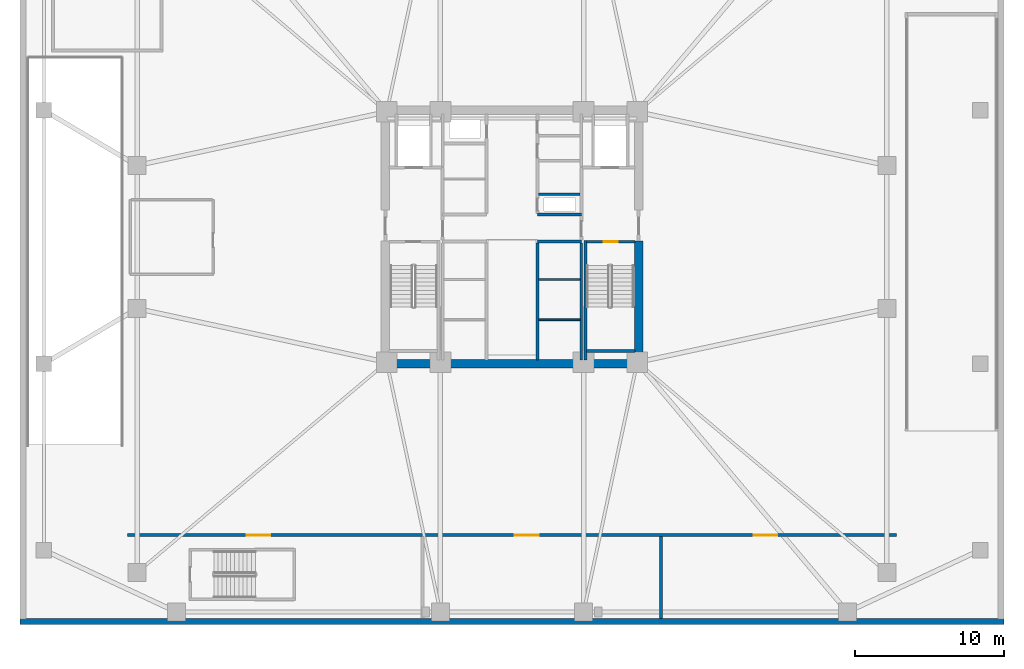
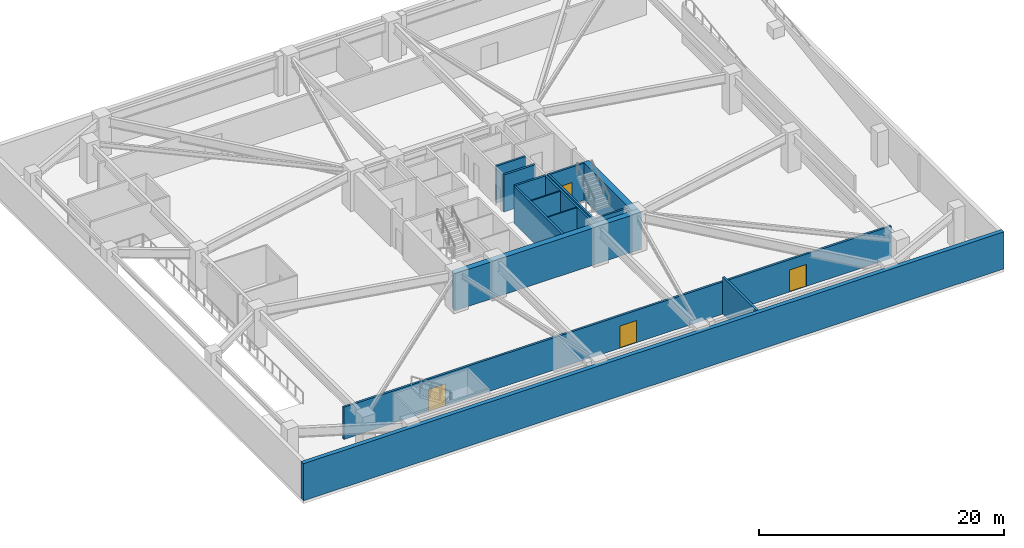
# One storey, part 3 of 9: 15 walls, 4 doors, 4 openings.
"""IFC4 building model written with IfcOpenShell, lengths in metres."""

from ifc_helpers import new_model, si_unit, direction, frame, frame_2d, origin, place, context, subcontext, project, spatial, rectangle, extrude, material, layer, layer_set, type_object, element, fill, save


model = new_model("IFC4")

# Units and contexts
model_context = context("Model", 3, precision=1e-05, world=origin(), true_north=direction((0.0, 1.0)))
body_context = subcontext(model_context, "Body", "Model", "MODEL_VIEW")
ifc_project = project(units=[si_unit("LENGTHUNIT", "METRE"), si_unit("AREAUNIT", "SQUARE_METRE"), si_unit("VOLUMEUNIT", "CUBIC_METRE"), si_unit("PLANEANGLEUNIT", "RADIAN"), si_unit("MASSUNIT", "GRAM", prefix="KILO")], contexts=[model_context])

# Site, building, storey
site_placement = place(None, origin())
site = spatial("IfcSite", under=ifc_project, at=site_placement, CompositionType="ELEMENT")
building_placement = place(site_placement, origin())
building = spatial("IfcBuilding", under=site, at=building_placement, Name="Cairnveth Concourse Tower", CompositionType="ELEMENT")
storey_placement = place(building_placement, frame((0.0, 0.0, -4.0)))
storey = spatial("IfcBuildingStorey", under=building, at=storey_placement, Name="B01", CompositionType="ELEMENT", Elevation=-4.0)

# Walls
ifc_material_1 = material(Name="Concrete N50 (50 MPa)", Category="concrete")
ifc_layer_1 = layer(ifc_material_1, 0.39990234375)
ifc_layer_set_1 = layer_set([ifc_layer_1], Name="Concrete N50 (50 MPa)")
wall_type_1 = type_object("IfcWallType", Name="BASEMENT RETAINING WALL 400", PredefinedType="USERDEFINED", material=ifc_layer_set_1)
wall_1_placement = place(storey_placement, frame((85.0, 13.199951171875, 0.0), z_axis=(0.0, 0.0, 1.0), x_axis=(-1.0, 0.0, 0.0)))
element("IfcWall", 1, at=wall_1_placement, inside=storey, type_object=wall_type_1, Name="Exterior Wall EW-B01-S", ObjectType="RETAINING WALL", PredefinedType="USERDEFINED", context=body_context, shape_type="SweptSolid", body=[
    extrude(rectangle(XDim=66.0, YDim=0.39990234375, at=frame_2d((33.0, 0.0))), origin(), (0.0, 0.0, 1.0), 3.699951171875),
])
ifc_material_2 = material(Name="Concrete N80 (80 MPa)", Category="concrete")
ifc_layer_2 = layer(ifc_material_2, 0.550048828125)
ifc_layer_set_2 = layer_set([ifc_layer_2], Name="Concrete N80 (80 MPa)")
wall_type_2 = type_object("IfcWallType", Name="CORE SHEAR WALL 550", PredefinedType="SHEAR", material=ifc_layer_set_2)
wall_2_placement = place(storey_placement, frame((43.22509765625, 30.5, 0.0), z_axis=(0.0, 0.0, 1.0), x_axis=(1.0, 0.0, 0.0)))
element("IfcWall", 2, at=wall_2_placement, inside=storey, type_object=wall_type_2, Name="Core South Shear Wall B01", PredefinedType="SHEAR", context=body_context, shape_type="SweptSolid", body=[
    extrude(rectangle(XDim=17.5498046875, YDim=0.550048828125, at=frame_2d((8.77490234375, 0.0))), origin(), (0.0, 0.0, 1.0), 3.699951171875),
])
wall_3_placement = place(storey_placement, frame((60.5, 30.764892578125, 0.0), z_axis=(0.0, 0.0, 1.0), x_axis=(0.0, 1.0, 0.0)))
element("IfcWall", 3, at=wall_3_placement, inside=storey, type_object=wall_type_2, Name="Core East Shear Wall S B01", PredefinedType="SHEAR", context=body_context, shape_type="SweptSolid", body=[
    extrude(rectangle(XDim=7.985107421875, YDim=0.550048828125, at=frame_2d((3.99267578125, 0.0))), origin(), (0.0, 0.0, 1.0), 3.699951171875),
])
ifc_layer_3 = layer(ifc_material_1, 0.179931640625)
ifc_layer_set_3 = layer_set([ifc_layer_3], Name="Concrete N50 (50 MPa)")
wall_type_3 = type_object("IfcWallType", Name="FIRE SHAFT WALL 180", PredefinedType="SOLIDWALL", material=ifc_layer_set_3)
wall_4_placement = place(storey_placement, frame((56.64990234375, 30.760009765625, 0.0), z_axis=(0.0, 0.0, 1.0), x_axis=(0.0, 1.0, 0.0)))
element("IfcWall", 4, at=wall_4_placement, inside=storey, type_object=wall_type_3, Name="Interior Wall IW-B01-028", PredefinedType="SOLIDWALL", context=body_context, shape_type="SweptSolid", body=[
    extrude(rectangle(XDim=7.85498046875, YDim=0.179931640625, at=frame_2d((3.927490234375, 0.0))), origin(), (0.0, 0.0, 1.0), 3.699951171875),
])
wall_5_placement = place(storey_placement, frame((53.784912109375, 41.8798828125, 0.0), z_axis=(0.0, 0.0, 1.0), x_axis=(1.0, 0.0, 0.0)))
element("IfcWall", 5, at=wall_5_placement, inside=storey, type_object=wall_type_3, Name="Interior Wall IW-B01-035", PredefinedType="SOLIDWALL", context=body_context, shape_type="SweptSolid", body=[
    extrude(rectangle(XDim=2.780029296875, YDim=0.179931640625, at=frame_2d((1.39013671875, 0.0))), origin(), (0.0, 0.0, 1.0), 3.699951171875),
])

# Wall, opening, door
wall_6_placement = place(storey_placement, frame((57.0048828125, 38.68994140625, 0.0), z_axis=(0.0, 0.0, 1.0), x_axis=(1.0, 0.0, 0.0)))
wall_6 = element("IfcWall", 6, at=wall_6_placement, inside=storey, type_object=wall_type_3, Name="Stair ST-2 Shaft Wall NEAR B01", PredefinedType="SOLIDWALL", context=body_context, shape_type="SweptSolid", body=[
    extrude(rectangle(XDim=3.230224609375, YDim=0.179931640625, at=frame_2d((1.615234375, 0.0))), origin(), (0.0, 0.0, 1.0), 3.699951171875),
])
opening_1_placement = place(wall_6_placement, frame((1.139892578125, 0.0, 0.0)))
opening_1 = element("IfcOpeningElement", 7, at=opening_1_placement, cuts=wall_6, Name="Opening ID12", PredefinedType="OPENING", context=body_context, shape_type="SweptSolid", body=[
    extrude(rectangle(XDim=0.949951171875, YDim=2.14990234375, at=frame_2d((0.47509765625, 1.074951171875))), frame((0.0, 0.099853515625, 0.0), z_axis=(0.0, -1.0, 0.0), x_axis=(1.0, 0.0, 0.0)), (0.0, 0.0, 1.0), 0.199951171875),
])
ifc_material_3 = material(Name="Steel Grade 350", Category="steel")
door_type_1 = type_object("IfcDoorType", Name="FIRE STAIR DOOR 950X2150", OperationType="NOTDEFINED", PredefinedType="DOOR", material=ifc_material_3)
door_1_placement = place(opening_1_placement, origin())
door_1 = element("IfcDoor", 8, at=door_1_placement, inside=storey, type_object=door_type_1, Name="Stair ST-2 Fire Door B01", OperationType="SINGLE_SWING_RIGHT", OverallHeight=2.14990234375, OverallWidth=0.949951171875, PredefinedType="DOOR", context=body_context, shape_type="SweptSolid", body=[
    extrude(rectangle(XDim=0.949951171875, YDim=2.14990234375, at=frame_2d((0.47509765625, 1.074951171875))), frame((0.0, 0.02490234375, 0.0), z_axis=(0.0, -1.0, 0.0), x_axis=(1.0, 0.0, 0.0)), (0.0, 0.0, 1.0), 0.050048828125),
])
fill(opening_1, door_1)

# Walls
wall_7_placement = place(storey_placement, frame((57.0048828125, 31.360107421875, 0.0), z_axis=(0.0, 0.0, 1.0), x_axis=(1.0, 0.0, 0.0)))
element("IfcWall", 9, at=wall_7_placement, inside=storey, type_object=wall_type_3, Name="Stair ST-2 Shaft Wall FAR B01", PredefinedType="SOLIDWALL", context=body_context, shape_type="SweptSolid", body=[
    extrude(rectangle(XDim=3.230224609375, YDim=0.179931640625, at=frame_2d((1.615234375, 0.0))), origin(), (0.0, 0.0, 1.0), 3.699951171875),
])
wall_8_placement = place(storey_placement, frame((56.929931640625, 38.780029296875, 0.0), z_axis=(0.0, 0.0, 1.0), x_axis=(0.0, -1.0, 0.0)))
element("IfcWall", 10, at=wall_8_placement, inside=storey, type_object=wall_type_3, Name="Stair ST-2 Shaft Wall LEFT B01", PredefinedType="SOLIDWALL", context=body_context, shape_type="SweptSolid", body=[
    extrude(rectangle(XDim=8.01708984375, YDim=0.179931640625, at=frame_2d((4.008544921875, 0.0))), origin(), (0.0, 0.0, 1.0), 3.699951171875),
])
ifc_layer_4 = layer(ifc_material_1, 0.199951171875)
ifc_layer_set_4 = layer_set([ifc_layer_4], Name="Concrete N50 (50 MPa)")
wall_type_4 = type_object("IfcWallType", Name="FIRE SHAFT WALL 200", PredefinedType="SOLIDWALL", material=ifc_layer_set_4)
for number, where, z_axis, x_axis, name in (
    (11, (53.699951171875, 38.699951171875, 0.0), (0.0, 0.0, 1.0), (1.0, 0.0, 0.0), "Interior Wall IW-B01-009"),
    (12, (53.699951171875, 40.5, 0.0), (0.0, 0.0, 1.0), (1.0, 0.0, 0.0), "Interior Wall IW-B01-010"),
):
    element("IfcWall", number, at=place(storey_placement, frame(where, z_axis=z_axis, x_axis=x_axis)), inside=storey, type_object=wall_type_4, Name=name, PredefinedType="SOLIDWALL", context=body_context, shape_type="SweptSolid", body=[
        extrude(rectangle(XDim=2.949951171875, YDim=0.199951171875, at=frame_2d((1.47509765625, 0.0))), origin(), (0.0, 0.0, 1.0), 3.699951171875),
    ])
wall_9_placement = place(storey_placement, frame((53.699951171875, 30.760009765625, 0.0), z_axis=(0.0, 0.0, 1.0), x_axis=(0.0, 1.0, 0.0)))
element("IfcWall", 13, at=wall_9_placement, inside=storey, type_object=wall_type_4, Name="Interior Wall IW-B01-012", PredefinedType="SOLIDWALL", context=body_context, shape_type="SweptSolid", body=[
    extrude(rectangle(XDim=7.85498046875, YDim=0.199951171875, at=frame_2d((3.927490234375, 0.0))), origin(), (0.0, 0.0, 1.0), 3.699951171875),
])

# Wall, openings, doors
wall_10_placement = place(storey_placement, frame((26.199951171875, 19.0, 0.0), z_axis=(0.0, 0.0, 1.0), x_axis=(1.0, 0.0, 0.0)))
wall_10 = element("IfcWall", 14, at=wall_10_placement, inside=storey, type_object=wall_type_4, Name="Interior Wall IW-B01-038", PredefinedType="SOLIDWALL", context=body_context, shape_type="SweptSolid", body=[
    extrude(rectangle(XDim=51.60009765625, YDim=0.199951171875, at=frame_2d((25.800048828125, 0.0))), origin(), (0.0, 0.0, 1.0), 3.218017578125),
])
opening_2_placement = place(wall_10_placement, frame((8.0, 0.0, 0.0)))
opening_2 = element("IfcOpeningElement", 15, at=opening_2_placement, cuts=wall_10, Name="Opening ID02", PredefinedType="OPENING", context=body_context, shape_type="SweptSolid", body=[
    extrude(rectangle(XDim=1.60009765625, YDim=2.199951171875, at=frame_2d((0.800048828125, 1.10009765625))), frame((0.0, 0.10986328125, 0.0), z_axis=(0.0, -1.0, 0.0), x_axis=(1.0, 0.0, 0.0)), (0.0, 0.0, 1.0), 0.219970703125),
])
opening_3_placement = place(wall_10_placement, frame((26.0, 0.0, 0.0)))
opening_3 = element("IfcOpeningElement", 16, at=opening_3_placement, cuts=wall_10, Name="Opening ID02", PredefinedType="OPENING", context=body_context, shape_type="SweptSolid", body=[
    extrude(rectangle(XDim=1.60009765625, YDim=2.199951171875, at=frame_2d((0.800048828125, 1.10009765625))), frame((0.0, 0.10986328125, 0.0), z_axis=(0.0, -1.0, 0.0), x_axis=(1.0, 0.0, 0.0)), (0.0, 0.0, 1.0), 0.219970703125),
])
opening_4_placement = place(wall_10_placement, frame((42.0, 0.0, 0.0)))
opening_4 = element("IfcOpeningElement", 17, at=opening_4_placement, cuts=wall_10, Name="Opening ID02", PredefinedType="OPENING", context=body_context, shape_type="SweptSolid", body=[
    extrude(rectangle(XDim=1.60009765625, YDim=2.199951171875, at=frame_2d((0.800048828125, 1.10009765625))), frame((0.0, 0.10986328125, 0.0), z_axis=(0.0, -1.0, 0.0), x_axis=(1.0, 0.0, 0.0)), (0.0, 0.0, 1.0), 0.219970703125),
])
door_type_2 = type_object("IfcDoorType", Name="PLANT DOUBLE DOOR 1600X2200", OperationType="DOUBLE_DOOR_SINGLE_SWING", PredefinedType="DOOR", material=ifc_material_3)
door_2_placement = place(opening_2_placement, origin())
door_2 = element("IfcDoor", 18, at=door_2_placement, inside=storey, type_object=door_type_2, Name="Interior Door DR-B01-011", OperationType="DOUBLE_DOOR_SINGLE_SWING", OverallHeight=2.199951171875, OverallWidth=1.60009765625, PredefinedType="DOOR", context=body_context, shape_type="SweptSolid", body=[
    extrude(rectangle(XDim=1.60009765625, YDim=2.199951171875, at=frame_2d((0.800048828125, 1.10009765625))), frame((0.0, 0.02490234375, 0.0), z_axis=(0.0, -1.0, 0.0), x_axis=(1.0, 0.0, 0.0)), (0.0, 0.0, 1.0), 0.050048828125),
])
fill(opening_2, door_2)
door_3_placement = place(opening_3_placement, origin())
door_3 = element("IfcDoor", 19, at=door_3_placement, inside=storey, type_object=door_type_2, Name="Interior Door DR-B01-012", OperationType="DOUBLE_DOOR_SINGLE_SWING", OverallHeight=2.199951171875, OverallWidth=1.60009765625, PredefinedType="DOOR", context=body_context, shape_type="SweptSolid", body=[
    extrude(rectangle(XDim=1.60009765625, YDim=2.199951171875, at=frame_2d((0.800048828125, 1.10009765625))), frame((0.0, 0.02490234375, 0.0), z_axis=(0.0, -1.0, 0.0), x_axis=(1.0, 0.0, 0.0)), (0.0, 0.0, 1.0), 0.050048828125),
])
fill(opening_3, door_3)
door_4_placement = place(opening_4_placement, origin())
door_4 = element("IfcDoor", 20, at=door_4_placement, inside=storey, type_object=door_type_2, Name="Interior Door DR-B01-013", OperationType="DOUBLE_DOOR_SINGLE_SWING", OverallHeight=2.199951171875, OverallWidth=1.60009765625, PredefinedType="DOOR", context=body_context, shape_type="SweptSolid", body=[
    extrude(rectangle(XDim=1.60009765625, YDim=2.199951171875, at=frame_2d((0.800048828125, 1.10009765625))), frame((0.0, 0.02490234375, 0.0), z_axis=(0.0, -1.0, 0.0), x_axis=(1.0, 0.0, 0.0)), (0.0, 0.0, 1.0), 0.050048828125),
])
fill(opening_4, door_4)

# Walls
wall_11_placement = place(storey_placement, frame((62.0, 13.39990234375, 0.0), z_axis=(0.0, 0.0, 1.0), x_axis=(0.0, 1.0, 0.0)))
element("IfcWall", 21, at=wall_11_placement, inside=storey, type_object=wall_type_4, Name="Interior Wall IW-B01-041", PredefinedType="SOLIDWALL", context=body_context, shape_type="SweptSolid", body=[
    extrude(rectangle(XDim=5.51513671875, YDim=0.199951171875, at=frame_2d((2.757568359375, 0.0))), origin(), (0.0, 0.0, 1.0), 3.699951171875),
])
ifc_material_4 = material(Name="Gypsum Plasterboard Partition", Category="gypsum")
ifc_layer_5 = layer(ifc_material_4, 0.110107421875)
ifc_layer_set_5 = layer_set([ifc_layer_5], Name="Gypsum Plasterboard Partition")
wall_type_5 = type_object("IfcWallType", Name="SHAFT DIVIDER WALL 140", PredefinedType="PARTITIONING", material=ifc_layer_set_5)
for number, where, z_axis, x_axis, name in (
    (22, (53.784912109375, 33.449951171875, 0.0), (0.0, 0.0, 1.0), (1.0, 0.0, 0.0), "Interior Wall IW-B01-029"),
    (23, (53.784912109375, 36.14990234375, 0.0), (0.0, 0.0, 1.0), (1.0, 0.0, 0.0), "Interior Wall IW-B01-030"),
):
    element("IfcWall", number, at=place(storey_placement, frame(where, z_axis=z_axis, x_axis=x_axis)), inside=storey, type_object=wall_type_5, Name=name, PredefinedType="PARTITIONING", context=body_context, shape_type="SweptSolid", body=[
        extrude(rectangle(XDim=2.7900390625, YDim=0.110107421875, at=frame_2d((1.39501953125, 0.0))), origin(), (0.0, 0.0, 1.0), 3.699951171875),
    ])

save(model, "model.ifc")
